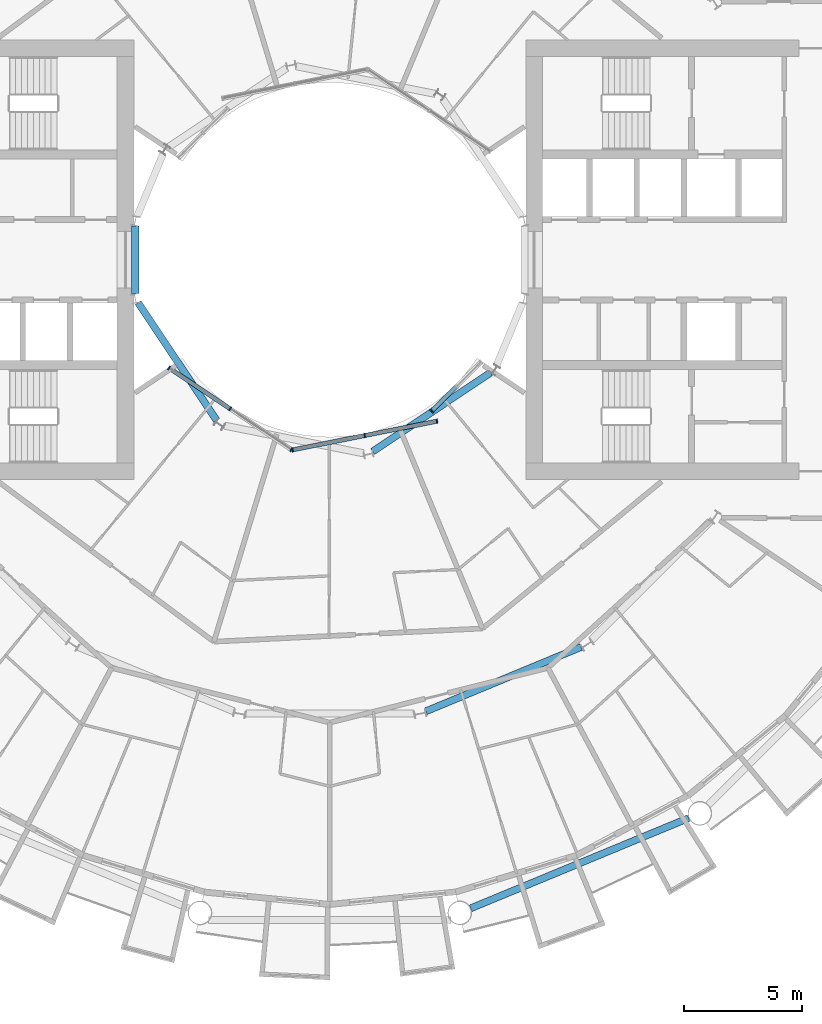
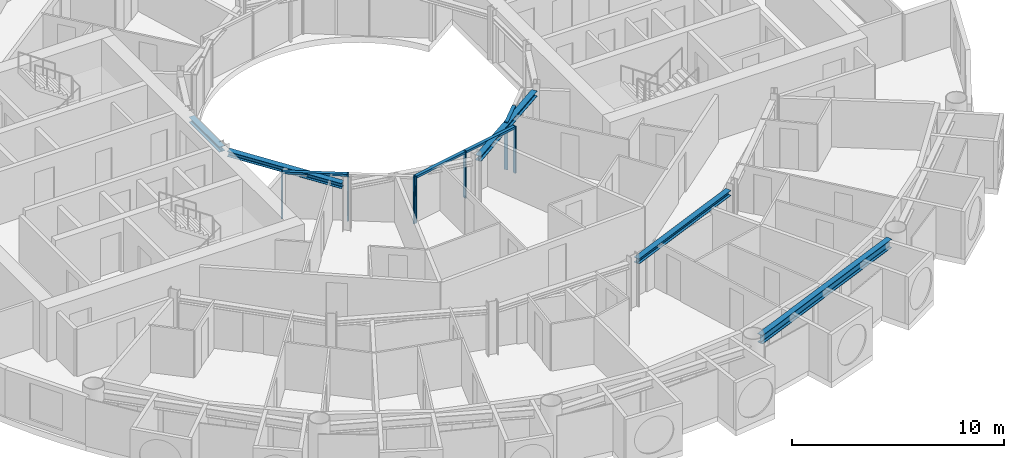
# One storey, part 5 of 26: 11 members, 5 beams, 3 elements without a shape of their own.
"""IFC4 building model written with IfcOpenShell, lengths in metres."""

from ifc_helpers import new_model, si_unit, direction, frame, origin, origin_2d, place, context, subcontext, project, spatial, rectangle, i_section, extrude, material, layer, layer_set, material_profile, profile_set, type_object, element, aggregate, save


model = new_model("IFC4")

# Units and contexts
model_context = context("Model", 3, precision=1e-05, world=origin(), true_north=direction((0.0, 1.0)))
body_context = subcontext(model_context, "Body", "Model", "MODEL_VIEW")
ifc_project = project(units=[si_unit("LENGTHUNIT", "METRE"), si_unit("AREAUNIT", "SQUARE_METRE"), si_unit("VOLUMEUNIT", "CUBIC_METRE"), si_unit("PLANEANGLEUNIT", "RADIAN"), si_unit("MASSUNIT", "GRAM", prefix="KILO")], contexts=[model_context])

# Site, building, storey
site_placement = place(None, origin())
site = spatial("IfcSite", under=ifc_project, at=site_placement, CompositionType="ELEMENT")
building_placement = place(site_placement, origin())
building = spatial("IfcBuilding", under=site, at=building_placement, Name="Maasbend Ring Residences", CompositionType="ELEMENT")
storey_placement = place(building_placement, frame((0.0, 0.0, 81.89990234375)))
storey = spatial("IfcBuildingStorey", under=building, at=storey_placement, Name="L23", CompositionType="ELEMENT", Elevation=81.89990234375)

# Curtain wall, members
ifc_material_1 = material(Name="Aluminium and clear glass", Category="aluminium")
ifc_layer = layer(ifc_material_1, 0.179931640625)
ifc_layer_set = layer_set([ifc_layer], Name="CW-W")
curtain_wall_type = type_object("IfcCurtainWallType", Name="CW-W", PredefinedType="NOTDEFINED", material=ifc_layer_set)
curtain_wall_1_placement = place(storey_placement, origin())
curtain_wall_1 = element("IfcCurtainWall", 1, at=curtain_wall_1_placement, inside=storey, type_object=curtain_wall_type, Name="Well curtain wall S1", PredefinedType="NOTDEFINED")
ifc_material_2 = material(Name="Aluminium 6063-T6", Category="aluminium")
ifc_material_profile_1 = material_profile(ifc_material_2, rectangle(XDim=0.179931640625, YDim=0.06005859375, at=origin_2d()), Name="AL 180x60")
ifc_profile_set_1 = profile_set([ifc_material_profile_1], Name="Aluminium 6063-T6")
member_type_1 = type_object("IfcMemberType", Name="CWM-W", PredefinedType="MULLION", material=ifc_profile_set_1)
member_1_placement = place(storey_placement, frame((-6.805908203125, -4.580810546875, 0.0), z_axis=(0.0, 0.0, 1.0), x_axis=(0.55557023302, 0.831469612303, 0.0)))
member_1 = element("IfcMember", 2, at=member_1_placement, type_object=member_type_1, Name="Mullion well face", PredefinedType="MULLION", context=body_context, shape_type="SweptSolid", body=[
    extrude(rectangle(XDim=0.179931640625, YDim=0.06005859375, at=origin_2d()), origin(), (0.0, 0.0, 1.0), 2.7001953125),
])
member_2_placement = place(storey_placement, frame((-4.216796875, -6.310791015625, 0.0), z_axis=(0.0, 0.0, 1.0), x_axis=(0.55557023302, 0.831469612303, 0.0)))
member_2 = element("IfcMember", 3, at=member_2_placement, type_object=member_type_1, Name="Mullion well face", PredefinedType="MULLION", context=body_context, shape_type="SweptSolid", body=[
    extrude(rectangle(XDim=0.179931640625, YDim=0.06005859375, at=origin_2d()), origin(), (0.0, 0.0, 1.0), 2.7001953125),
])
member_3_placement = place(storey_placement, frame((-1.627685546875, -8.040771484375, 0.0), z_axis=(0.0, 0.0, 1.0), x_axis=(0.55557023302, 0.831469612303, 0.0)))
member_3 = element("IfcMember", 4, at=member_3_placement, type_object=member_type_1, Name="Mullion well face", PredefinedType="MULLION", context=body_context, shape_type="SweptSolid", body=[
    extrude(rectangle(XDim=0.179931640625, YDim=0.06005859375, at=origin_2d()), origin(), (0.0, 0.0, 1.0), 2.7001953125),
])

curtain_wall_2_placement = place(storey_placement, origin())
curtain_wall_2 = element("IfcCurtainWall", 5, at=curtain_wall_2_placement, inside=storey, type_object=curtain_wall_type, Name="Well curtain wall S2", PredefinedType="NOTDEFINED")
member_4_placement = place(storey_placement, frame((-1.5732421875, -8.0517578125, 0.0), z_axis=(0.0, 0.0, 1.0), x_axis=(-0.195090322016, 0.980785280403, 0.0)))
member_4 = element("IfcMember", 6, at=member_4_placement, type_object=member_type_1, Name="Mullion well face", PredefinedType="MULLION", context=body_context, shape_type="SweptSolid", body=[
    extrude(rectangle(XDim=0.179931640625, YDim=0.06005859375, at=origin_2d()), origin(), (0.0, 0.0, 1.0), 2.7001953125),
])
member_5_placement = place(storey_placement, frame((1.480712890625, -7.444091796875, 0.0), z_axis=(0.0, 0.0, 1.0), x_axis=(-0.195090322016, 0.980785280403, 0.0)))
member_5 = element("IfcMember", 7, at=member_5_placement, type_object=member_type_1, Name="Mullion well face", PredefinedType="MULLION", context=body_context, shape_type="SweptSolid", body=[
    extrude(rectangle(XDim=0.179931640625, YDim=0.06005859375, at=origin_2d()), origin(), (0.0, 0.0, 1.0), 2.7001953125),
])
member_6_placement = place(storey_placement, frame((4.53466796875, -6.836669921875, 0.0), z_axis=(0.0, 0.0, 1.0), x_axis=(-0.195090322016, 0.980785280403, 0.0)))
member_6 = element("IfcMember", 8, at=member_6_placement, type_object=member_type_1, Name="Mullion well face", PredefinedType="MULLION", context=body_context, shape_type="SweptSolid", body=[
    extrude(rectangle(XDim=0.179931640625, YDim=0.06005859375, at=origin_2d()), origin(), (0.0, 0.0, 1.0), 2.7001953125),
])

# Curtain wall, member
curtain_wall_3_placement = place(storey_placement, origin())
curtain_wall_3 = element("IfcCurtainWall", 9, at=curtain_wall_3_placement, inside=storey, type_object=curtain_wall_type, Name="Well curtain wall S3", PredefinedType="NOTDEFINED")
member_7_placement = place(storey_placement, frame((4.320556640625, -6.413330078125, 0.0), z_axis=(0.0, 0.0, 1.0), x_axis=(-0.707106781187, 0.707106781187, 0.0)))
member_7 = element("IfcMember", 10, at=member_7_placement, type_object=member_type_1, Name="Mullion well face", PredefinedType="MULLION", context=body_context, shape_type="SweptSolid", body=[
    extrude(rectangle(XDim=0.179931640625, YDim=0.06005859375, at=origin_2d()), origin(), (0.0, 0.0, 1.0), 2.7001953125),
])

# Member
ifc_material_3 = material(Name="Aluminium 6063-T6", Category="aluminium")
ifc_material_profile_2 = material_profile(ifc_material_3, rectangle(XDim=0.179931640625, YDim=0.1201171875, at=origin_2d()), Name="AL 180x120")
ifc_profile_set_2 = profile_set([ifc_material_profile_2], Name="Aluminium 6063-T6")
member_type_2 = type_object("IfcMemberType", Name="CWT-W", PredefinedType="USERDEFINED", material=ifc_profile_set_2)
member_8_placement = place(storey_placement, frame((-6.781005859375, -4.59765625, 2.64013671875), z_axis=(0.831496422459, -0.555530106689, 0.0), x_axis=(0.555530106689, 0.831496422459, 0.0)))
member_8 = element("IfcMember", 11, at=member_8_placement, type_object=member_type_2, Name="Transom well face", ObjectType="TRANSOM", PredefinedType="USERDEFINED", context=body_context, shape_type="SweptSolid", body=[
    extrude(rectangle(XDim=0.179931640625, YDim=0.1201171875, at=origin_2d()), origin(), (0.0, 0.0, 1.0), 3.053955078125),
])

aggregate(curtain_wall_1, [member_1, member_2, member_3, member_8])

member_9_placement = place(storey_placement, frame((-1.5439453125, -8.0458984375, 2.64013671875), z_axis=(0.980776956105, 0.195132166424, 0.0), x_axis=(-0.195132166424, 0.980776956105, 0.0)))
member_9 = element("IfcMember", 12, at=member_9_placement, type_object=member_type_2, Name="Transom well face", ObjectType="TRANSOM", PredefinedType="USERDEFINED", context=body_context, shape_type="SweptSolid", body=[
    extrude(rectangle(XDim=0.179931640625, YDim=0.1201171875, at=origin_2d()), origin(), (0.0, 0.0, 1.0), 3.053955078125),
])

member_10_placement = place(storey_placement, frame((1.51025390625, -7.438232421875, 2.64013671875), z_axis=(0.980789210404, 0.19507056353, 0.0), x_axis=(-0.19507056353, 0.980789210404, 0.0)))
member_10 = element("IfcMember", 13, at=member_10_placement, type_object=member_type_2, Name="Transom well face", ObjectType="TRANSOM", PredefinedType="USERDEFINED", context=body_context, shape_type="SweptSolid", body=[
    extrude(rectangle(XDim=0.179931640625, YDim=0.1201171875, at=origin_2d()), origin(), (0.0, 0.0, 1.0), 3.0537109375),
])

aggregate(curtain_wall_2, [member_4, member_5, member_6, member_9, member_10])

member_11_placement = place(storey_placement, frame((4.341796875, -6.39208984375, 2.64013671875), z_axis=(0.707106781187, 0.707106781187, 0.0), x_axis=(-0.707106781187, 0.707106781187, 0.0)))
member_11 = element("IfcMember", 14, at=member_11_placement, type_object=member_type_2, Name="Transom well face", ObjectType="TRANSOM", PredefinedType="USERDEFINED", context=body_context, shape_type="SweptSolid", body=[
    extrude(rectangle(XDim=0.179931640625, YDim=0.1201171875, at=origin_2d()), origin(), (0.0, 0.0, 1.0), 1.419677734375),
])

aggregate(curtain_wall_3, [member_7, member_11])

# Beams
ifc_material_4 = material(Name="Steel S355J2", Category="steel")
ifc_material_profile_3 = material_profile(ifc_material_4, i_section(OverallWidth=0.300048828125, OverallDepth=0.300048828125, WebThickness=0.010986328125, FlangeThickness=0.01904296875, FilletRadius=0.027099609375, at=origin_2d()), Name="HEB 300")
ifc_profile_set_3 = profile_set([ifc_material_profile_3], Name="Steel S355J2")
beam_type_1 = type_object("IfcBeamType", Name="Corridor ring beam HEB 300", PredefinedType="BEAM", material=ifc_profile_set_3)
beam_1_placement = place(storey_placement, frame((4.070556640625, -19.12109375, 2.550048828125), z_axis=(0.923877113721, 0.382689271788, 0.0), x_axis=(-0.382689271788, 0.923877113721, 0.0)))
element("IfcBeam", 15, at=beam_1_placement, inside=storey, type_object=beam_type_1, Name="Corridor ring beam", PredefinedType="BEAM", context=body_context, shape_type="SweptSolid", body=[
    extrude(i_section(OverallWidth=0.300048828125, OverallDepth=0.300048828125, WebThickness=0.010986328125, FlangeThickness=0.01904296875, FilletRadius=0.027099609375, at=origin_2d()), origin(), (0.0, 0.0, 1.0), 7.11328125),
])
ifc_material_5 = material(Name="Steel S355J2", Category="steel")
ifc_material_profile_4 = material_profile(ifc_material_5, i_section(OverallWidth=0.300048828125, OverallDepth=0.5, WebThickness=0.014404296875, FlangeThickness=0.028076171875, FilletRadius=0.027099609375, at=origin_2d()), Name="HEB 500")
ifc_profile_set_4 = profile_set([ifc_material_profile_4], Name="Steel S355J2")
beam_type_2 = type_object("IfcBeamType", Name="Spandrel ring beam HEB 500", PredefinedType="SPANDREL", material=ifc_profile_set_4)
beam_2_placement = place(storey_placement, frame((5.970703125, -27.463623046875, 2.4501953125), z_axis=(0.923886337442, 0.382667003395, 0.0), x_axis=(-0.382667003395, 0.923886337442, 0.0)))
element("IfcBeam", 16, at=beam_2_placement, inside=storey, type_object=beam_type_2, Name="Spandrel ring beam", PredefinedType="SPANDREL", context=body_context, shape_type="SweptSolid", body=[
    extrude(i_section(OverallWidth=0.300048828125, OverallDepth=0.5, WebThickness=0.014404296875, FlangeThickness=0.028076171875, FilletRadius=0.027099609375, at=origin_2d()), origin(), (0.0, 0.0, 1.0), 9.9873046875),
])
ifc_material_6 = material(Name="Steel S355J2", Category="steel")
ifc_material_profile_5 = material_profile(ifc_material_6, i_section(OverallWidth=0.300048828125, OverallDepth=0.300048828125, WebThickness=0.010986328125, FlangeThickness=0.01904296875, FilletRadius=0.027099609375, at=origin_2d()), Name="HEB 300")
ifc_profile_set_5 = profile_set([ifc_material_profile_5], Name="Steel S355J2")
beam_type_3 = type_object("IfcBeamType", Name="Well edge beam HEB 300", PredefinedType="BEAM", material=ifc_profile_set_5)
beam_3_placement = place(storey_placement, frame((-8.238525390625, 1.434814453125, 2.550048828125), z_axis=(0.0, -1.0, 0.0), x_axis=(1.0, 0.0, 0.0)))
element("IfcBeam", 17, at=beam_3_placement, inside=storey, type_object=beam_type_3, Name="Well edge beam", PredefinedType="BEAM", context=body_context, shape_type="SweptSolid", body=[
    extrude(i_section(OverallWidth=0.300048828125, OverallDepth=0.300048828125, WebThickness=0.010986328125, FlangeThickness=0.01904296875, FilletRadius=0.027099609375, at=origin_2d()), origin(), (0.0, 0.0, 1.0), 2.86962890625),
])
for number, where, z_axis, x_axis, name in (
    (18, (-8.118408203125, -1.81884765625, 2.550048828125), (0.555592533493, -0.83145471117, 0.0), (0.83145471117, 0.555592533493, 0.0), "Well edge beam"),
    (19, (1.81884765625, -8.118408203125, 2.550048828125), (0.83145471117, 0.555592533493, 0.0), (-0.555592533493, 0.83145471117, 0.0), "Well edge beam"),
):
    element("IfcBeam", number, at=place(storey_placement, frame(where, z_axis=z_axis, x_axis=x_axis)), inside=storey, type_object=beam_type_3, Name=name, PredefinedType="BEAM", context=body_context, shape_type="SweptSolid", body=[
        extrude(i_section(OverallWidth=0.300048828125, OverallDepth=0.300048828125, WebThickness=0.010986328125, FlangeThickness=0.01904296875, FilletRadius=0.027099609375, at=origin_2d()), origin(), (0.0, 0.0, 1.0), 5.995849609375),
    ])

save(model, "model.ifc")
